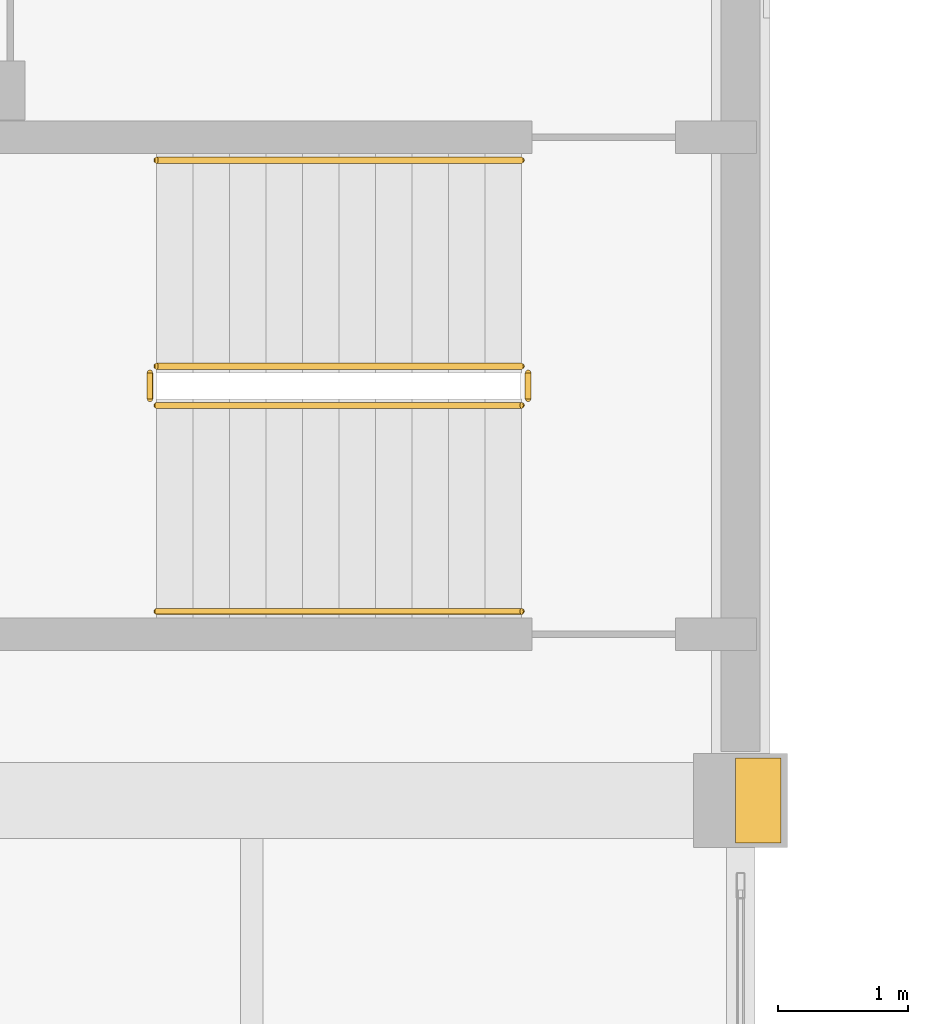
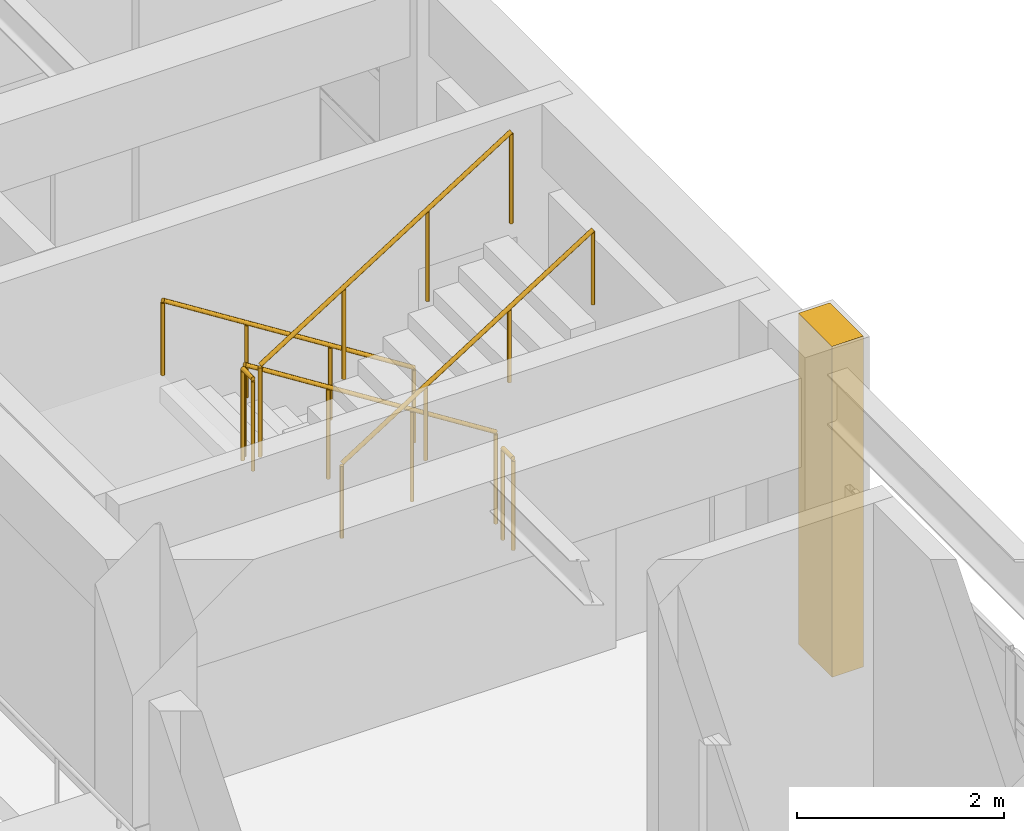
# One storey, part 95 of 101: 6 railings, 1 covering.
"""IFC4 building model written with IfcOpenShell, lengths in metres."""

from ifc_helpers import new_model, si_unit, direction, frame, origin, origin_2d, place, context, subcontext, project, spatial, rectangle, circle, extrude, material, layer, layer_set, type_object, element, save


model = new_model("IFC4")

# Units and contexts
model_context = context("Model", 3, precision=1e-05, world=origin(), true_north=direction((0.0, 1.0)))
body_context = subcontext(model_context, "Body", "Model", "MODEL_VIEW")
ifc_project = project(units=[si_unit("LENGTHUNIT", "METRE"), si_unit("AREAUNIT", "SQUARE_METRE"), si_unit("VOLUMEUNIT", "CUBIC_METRE"), si_unit("PLANEANGLEUNIT", "RADIAN"), si_unit("MASSUNIT", "GRAM", prefix="KILO")], contexts=[model_context])

# Site, building, storey
site_placement = place(None, origin())
site = spatial("IfcSite", under=ifc_project, at=site_placement, CompositionType="ELEMENT")
building_placement = place(site_placement, origin())
building = spatial("IfcBuilding", under=site, at=building_placement, Name="Qasida Concert Hall", CompositionType="ELEMENT")
storey_placement = place(building_placement, frame((0.0, 0.0, 13.199951171875)))
storey = spatial("IfcBuildingStorey", under=building, at=storey_placement, Name="L03", CompositionType="ELEMENT", Elevation=13.199951171875)

# Covering
ifc_material_1 = material(Name="Projecting fluted Lebanese limestone Art Deco pilaster", Category="masonry")
ifc_layer_1 = layer(ifc_material_1, 0.35009765625, Name="Projecting fluted Lebanese limestone Art Deco pilaster")
ifc_layer_set_1 = layer_set([ifc_layer_1], Name="Projecting fluted Lebanese limestone Art Deco pilaster")
covering_type = type_object("IfcCoveringType", Name="CV-PIL-650", PredefinedType="CLADDING", material=ifc_layer_set_1)
covering_placement = place(storey_placement, frame((105.135009765625, 45.0, 0.0), z_axis=(0.0, 0.0, 1.0), x_axis=(1.0, 0.0, 0.0)))
element("IfcCovering", 1, at=covering_placement, inside=storey, type_object=covering_type, Name="L03 fluted limestone pilaster 0039", PredefinedType="CLADDING", context=body_context, shape_type="SweptSolid", body=[
    extrude(rectangle(XDim=0.35009765625, YDim=0.64990234375, at=origin_2d()), origin(), (0.0, 0.0, 1.0), 3.89990234375),
])

# Railings
ifc_material_2 = material(Name="Patinated architectural bronze and laminated glass infill", Category="glass")
ifc_layer_2 = layer(ifc_material_2, 0.080078125, Name="Patinated architectural bronze and laminated glass infill")
ifc_layer_set_2 = layer_set([ifc_layer_2], Name="Patinated architectural bronze and laminated glass infill")
railing_type_1 = type_object("IfcRailingType", Name="RL-GRD-1100", PredefinedType="GUARDRAIL", material=ifc_layer_set_2)
railing_1_placement = place(storey_placement, frame((103.320068359375, 48.330078125, 0.17724609375)))
element("IfcRailing", 2, at=railing_1_placement, inside=storey, type_object=railing_type_1, Name="L03 ST-02 stair guard 1", PredefinedType="GUARDRAIL", context=body_context, shape_type="SweptSolid", body=[
    extrude(circle(Radius=0.02392578125, at=origin_2d()), frame((0.0, 0.0, 1.076171875), z_axis=(-0.844908973607, 0.0, 0.534910110503), x_axis=(0.0, -1.0, 0.0)), (0.0, 0.0, 1.0), 3.31396484375),
    extrude(circle(Radius=0.02099609375, at=origin_2d()), origin(), (0.0, 0.0, 1.0), 1.052001953125),
    extrude(circle(Radius=0.02099609375, at=origin_2d()), frame((-0.933349609375, 0.0, 0.5908203125)), (0.0, 0.0, 1.0), 1.052001953125),
    extrude(circle(Radius=0.02099609375, at=origin_2d()), frame((-1.86669921875, 0.0, 1.181884765625)), (0.0, 0.0, 1.0), 1.052001953125),
    extrude(circle(Radius=0.02099609375, at=origin_2d()), frame((-2.800048828125, 0.0, 1.772705078125)), (0.0, 0.0, 1.0), 1.052001953125),
])
railing_2_placement = place(storey_placement, frame((100.469970703125, 48.280029296875, 1.949951171875)))
element("IfcRailing", 3, at=railing_2_placement, inside=storey, type_object=railing_type_1, Name="L03 ST-02 stair guard 2", PredefinedType="GUARDRAIL", context=body_context, shape_type="SweptSolid", body=[
    extrude(circle(Radius=0.02392578125, at=origin_2d()), frame((0.0, 0.0, 1.076171875), z_axis=(0.0, -1.0, 0.0), x_axis=(1.0, 0.0, 0.0)), (0.0, 0.0, 1.0), 0.199951171875),
    extrude(circle(Radius=0.02099609375, at=origin_2d()), origin(), (0.0, 0.0, 1.0), 1.052001953125),
    extrude(circle(Radius=0.02099609375, at=origin_2d()), frame((0.0, -0.199951171875, 0.0)), (0.0, 0.0, 1.0), 1.052001953125),
])
railing_3_placement = place(storey_placement, frame((100.52001953125, 48.030029296875, 2.12744140625)))
element("IfcRailing", 4, at=railing_3_placement, inside=storey, type_object=railing_type_1, Name="L03 ST-02 stair guard 3", PredefinedType="GUARDRAIL", context=body_context, shape_type="SweptSolid", body=[
    extrude(circle(Radius=0.02392578125, at=origin_2d()), frame((0.0, 0.0, 1.076171875), z_axis=(0.844908973607, 0.0, 0.534910110503), x_axis=(0.0, 1.0, 0.0)), (0.0, 0.0, 1.0), 3.31396484375),
    extrude(circle(Radius=0.02099609375, at=origin_2d()), origin(), (0.0, 0.0, 1.0), 1.052001953125),
    extrude(circle(Radius=0.02099609375, at=origin_2d()), frame((0.933349609375, 0.0, 0.5908203125)), (0.0, 0.0, 1.0), 1.052001953125),
    extrude(circle(Radius=0.02099609375, at=origin_2d()), frame((1.86669921875, 0.0, 1.181884765625)), (0.0, 0.0, 1.0), 1.052001953125),
    extrude(circle(Radius=0.02099609375, at=origin_2d()), frame((2.800048828125, 0.0, 1.772705078125)), (0.0, 0.0, 1.0), 1.052001953125),
])
railing_4_placement = place(storey_placement, frame((103.3701171875, 48.280029296875, 0.0)))
element("IfcRailing", 5, at=railing_4_placement, inside=storey, type_object=railing_type_1, Name="L03 ST-02 stair guard 4", PredefinedType="GUARDRAIL", context=body_context, shape_type="SweptSolid", body=[
    extrude(circle(Radius=0.02392578125, at=origin_2d()), frame((0.0, 0.0, 1.076171875), z_axis=(0.0, -1.0, 0.0), x_axis=(1.0, 0.0, 0.0)), (0.0, 0.0, 1.0), 0.199951171875),
    extrude(circle(Radius=0.02099609375, at=origin_2d()), origin(), (0.0, 0.0, 1.0), 1.052001953125),
    extrude(circle(Radius=0.02099609375, at=origin_2d()), frame((0.0, -0.199951171875, 0.0)), (0.0, 0.0, 1.0), 1.052001953125),
])
ifc_material_3 = material(Name="Patinated tubular architectural bronze", Category="steel")
ifc_layer_3 = layer(ifc_material_3, 0.050048828125, Name="Patinated tubular architectural bronze")
ifc_layer_set_3 = layer_set([ifc_layer_3], Name="Patinated tubular architectural bronze")
railing_type_2 = type_object("IfcRailingType", Name="RL-HND-900", PredefinedType="HANDRAIL", material=ifc_layer_set_3)
railing_5_placement = place(storey_placement, frame((103.320068359375, 49.909912109375, 0.17724609375)))
element("IfcRailing", 6, at=railing_5_placement, inside=storey, type_object=railing_type_2, Name="L03 ST-02 stair handrail 1", PredefinedType="HANDRAIL", context=body_context, shape_type="SweptSolid", body=[
    extrude(circle(Radius=0.02392578125, at=origin_2d()), frame((0.0, 0.0, 0.8759765625), z_axis=(-0.844908973607, 0.0, 0.534910110503), x_axis=(0.0, -1.0, 0.0)), (0.0, 0.0, 1.0), 3.31396484375),
    extrude(circle(Radius=0.02099609375, at=origin_2d()), origin(), (0.0, 0.0, 1.0), 0.851806640625),
    extrude(circle(Radius=0.02099609375, at=origin_2d()), frame((-0.933349609375, 0.0, 0.5908203125)), (0.0, 0.0, 1.0), 0.851806640625),
    extrude(circle(Radius=0.02099609375, at=origin_2d()), frame((-1.86669921875, 0.0, 1.181884765625)), (0.0, 0.0, 1.0), 0.851806640625),
    extrude(circle(Radius=0.02099609375, at=origin_2d()), frame((-2.800048828125, 0.0, 1.772705078125)), (0.0, 0.0, 1.0), 0.851806640625),
])
railing_6_placement = place(storey_placement, frame((100.52001953125, 46.449951171875, 2.12744140625)))
element("IfcRailing", 7, at=railing_6_placement, inside=storey, type_object=railing_type_2, Name="L03 ST-02 stair handrail 2", PredefinedType="HANDRAIL", context=body_context, shape_type="SweptSolid", body=[
    extrude(circle(Radius=0.02392578125, at=origin_2d()), frame((0.0, 0.0, 0.8759765625), z_axis=(0.844908973607, 0.0, 0.534910110503), x_axis=(0.0, 1.0, 0.0)), (0.0, 0.0, 1.0), 3.31396484375),
    extrude(circle(Radius=0.02099609375, at=origin_2d()), origin(), (0.0, 0.0, 1.0), 0.851806640625),
    extrude(circle(Radius=0.02099609375, at=origin_2d()), frame((0.933349609375, 0.0, 0.5908203125)), (0.0, 0.0, 1.0), 0.851806640625),
    extrude(circle(Radius=0.02099609375, at=origin_2d()), frame((1.86669921875, 0.0, 1.181884765625)), (0.0, 0.0, 1.0), 0.851806640625),
    extrude(circle(Radius=0.02099609375, at=origin_2d()), frame((2.800048828125, 0.0, 1.772705078125)), (0.0, 0.0, 1.0), 0.851806640625),
])

save(model, "model.ifc")
